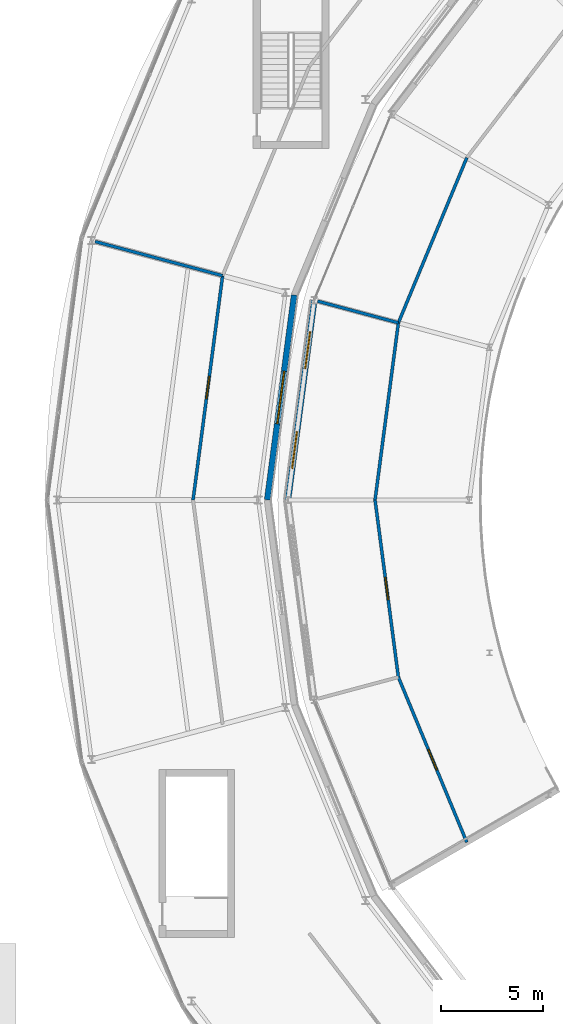
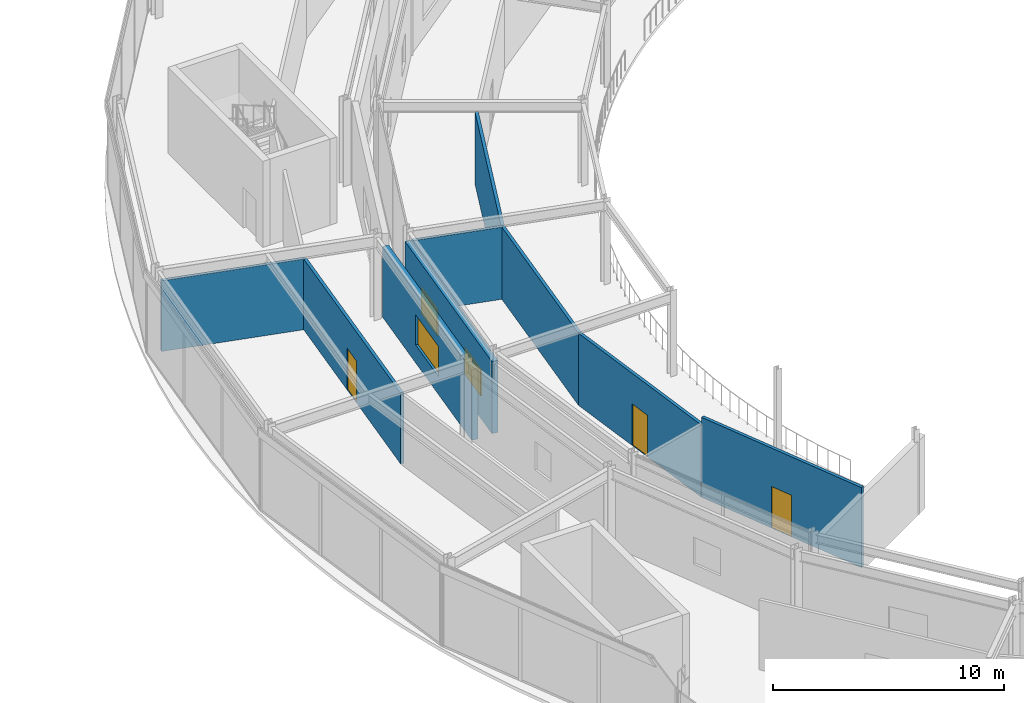
# One storey, part 118 of 157: 9 walls, 3 doors, 3 windows, 6 openings.
"""IFC4 building model written with IfcOpenShell, lengths in metres."""

import ifcopenshell
import ifcopenshell.guid

model = None  # the IFC model being written
_history = None  # IfcOwnerHistory: only IFC2X3 demands one
_inside = {}  # id of a spatial element -> (the spatial element, [elements in it])
_under = {}  # id of a project, library or spatial element -> (it, [spatial elements below it])
_declared = {}  # id of a project -> (the project, [libraries it declares])
_typed = {}  # id of a type object -> (the type object, [elements of that type])
_made_of = {}  # id of a material, layer set ... -> (it, [elements and type objects made of it])


def new_model(schema):
    """Start an empty IFC model of exactly this schema.

    Asked for "IFC4X3", IfcOpenShell would pick the latest addendum, in which some entities
    have other attributes; the version numbers below select the first issue.
    IFC2X3 requires an IfcOwnerHistory on every rooted entity: one is made here for all.
    """
    global model, _history
    if schema == "IFC4X3":
        model = ifcopenshell.file(schema_version=(4, 3, 0, 0))
    else:
        model = ifcopenshell.file(schema=schema)
    _inside.clear()
    _under.clear()
    _declared.clear()
    _typed.clear()
    _made_of.clear()
    _history = None
    if model.schema == "IFC2X3":
        org = make("IfcOrganization", Name="unknown")
        user = make(
            "IfcPersonAndOrganization",
            ThePerson=make("IfcPerson", FamilyName="unknown"),
            TheOrganization=org,
        )
        app = make(
            "IfcApplication",
            ApplicationDeveloper=org,
            Version="unknown",
            ApplicationFullName="unknown",
            ApplicationIdentifier="unknown",
        )
        _history = make(
            "IfcOwnerHistory",
            OwningUser=user,
            OwningApplication=app,
            ChangeAction="ADDED",
            CreationDate=0,
        )
    return model


def make(cls, **values):
    """One entity of the class cls with the attributes given. An attribute that is None is left unset."""
    return model.create_entity(
        cls, **{name: value for name, value in values.items() if value is not None}
    )


def rooted(cls, **values):
    """An entity with a GlobalId (a new one), such as an element, a storey or a relation."""
    return make(cls, GlobalId=ifcopenshell.guid.new(), OwnerHistory=_history, **values)


def si_unit(unit_type, name, prefix=None):
    """IfcSIUnit, for example si_unit("LENGTHUNIT", "METRE", prefix="MILLI")."""
    return make("IfcSIUnit", UnitType=unit_type, Prefix=prefix, Name=name)


def assignment(units):
    """IfcUnitAssignment: the units of a project."""
    return None if units is None else make("IfcUnitAssignment", Units=units)


def point(xyz):
    """IfcCartesianPoint."""
    return None if xyz is None else make("IfcCartesianPoint", Coordinates=xyz)


def direction(xyz):
    """IfcDirection."""
    return None if xyz is None else make("IfcDirection", DirectionRatios=xyz)


def frame(location, z_axis=None, x_axis=None):
    """IfcAxis2Placement3D, a coordinate frame: its origin and axes. An axis left out is left unset."""
    return make(
        "IfcAxis2Placement3D",
        Location=point(location),
        Axis=direction(z_axis),
        RefDirection=direction(x_axis),
    )


def frame_2d(location, x_axis=None):
    """IfcAxis2Placement2D, a coordinate frame in the plane: its origin and x axis."""
    return make(
        "IfcAxis2Placement2D", Location=point(location), RefDirection=direction(x_axis)
    )


def origin():
    """The frame at (0, 0, 0) with its axes left unset."""
    return frame((0.0, 0.0, 0.0))


def place(relative_to, where):
    """IfcLocalPlacement: puts the frame where relative to a parent placement (None: the world)."""
    return make(
        "IfcLocalPlacement", PlacementRelTo=relative_to, RelativePlacement=where
    )


def context(
    kind, dimensions, precision=None, world=None, true_north=None, identifier=None
):
    """IfcGeometricRepresentationContext, for example the 3D "Model" context."""
    return make(
        "IfcGeometricRepresentationContext",
        ContextIdentifier=identifier,
        ContextType=kind,
        CoordinateSpaceDimension=dimensions,
        Precision=precision,
        WorldCoordinateSystem=world,
        TrueNorth=true_north,
    )


def subcontext(parent, identifier, kind, view, scale=None):
    """IfcGeometricRepresentationSubContext, for example "Body" below "Model"."""
    return make(
        "IfcGeometricRepresentationSubContext",
        ContextIdentifier=identifier,
        ContextType=kind,
        ParentContext=parent,
        TargetScale=scale,
        TargetView=view,
    )


def project(units=None, contexts=None):
    """IfcProject with its units and contexts."""
    return rooted(
        "IfcProject",
        Name="project",
        RepresentationContexts=contexts,
        UnitsInContext=assignment(units),
    )


def spatial(cls, under=None, at=None, **own):
    """A site, building, storey or space (cls), placed at a placement, below another one or the project."""
    s = rooted(cls, ObjectPlacement=at, **own)
    if under is not None:
        _under.setdefault(under.id(), (under, []))[1].append(s)
    return s


def profile(cls, at=None, kind="AREA", **sizes):
    """A parametric profile (cls). Its sizes go by their IFC names, for example OverallWidth=200.0."""
    return make(cls, ProfileType=kind, Position=at, **sizes)


def rectangle(**sizes):
    """IfcRectangleProfileDef."""
    return profile("IfcRectangleProfileDef", **sizes)


def extrude(swept, where, along, depth):
    """IfcExtrudedAreaSolid: the profile swept, set in the frame where, extruded along a direction by depth."""
    return make(
        "IfcExtrudedAreaSolid",
        SweptArea=swept,
        Position=where,
        ExtrudedDirection=direction(along),
        Depth=depth,
    )


def shape(context_of_items, identifier, shape_type, items):
    """IfcShapeRepresentation: the items that make up one representation, for example the "Body"."""
    return make(
        "IfcShapeRepresentation",
        ContextOfItems=context_of_items,
        RepresentationIdentifier=identifier,
        RepresentationType=shape_type,
        Items=items,
    )


def material(Name=None, Category=None):
    """IfcMaterial."""
    return make("IfcMaterial", Name=Name, Category=Category)


def layer(
    of_material, thickness, ventilated=None, Name=None, Category=None, Priority=None
):
    """IfcMaterialLayer: one layer of a wall or slab, of a material (None: an air gap)."""
    return make(
        "IfcMaterialLayer",
        Material=of_material,
        LayerThickness=thickness,
        IsVentilated=ventilated,
        Name=Name,
        Category=Category,
        Priority=Priority,
    )


def layer_set(layers, Name=None):
    """IfcMaterialLayerSet."""
    return make("IfcMaterialLayerSet", MaterialLayers=layers, LayerSetName=Name)


def made_of(thing, what):
    """Note that an element or type object is made of a material, layer set ...; save() writes the relation."""
    if what is not None:
        _made_of.setdefault(what.id(), (what, []))[1].append(thing)
    return thing


def type_object(cls, material=None, **own):
    """A type object (cls), such as IfcWallType, which elements share."""
    return made_of(rooted(cls, **own), material)


def element(
    cls,
    number,
    at=None,
    inside=None,
    cuts=None,
    type_object=None,
    material=None,
    context=None,
    identifier="Body",
    shape_type=None,
    held_by="IfcProductDefinitionShape",
    body=None,
    shapes=None,
    **own,
):
    """One element of the class cls, such as IfcWall. Its Tag is "e" and its number.

    at: its placement. inside: the storey or other place that contains it. cuts: it is an
    opening in that element (IfcRelVoidsElement). A single representation is given by context,
    identifier, shape_type and body (its items); several are given by shapes. held_by: the class
    of the entity that holds the representations. save() writes the other relations.
    """
    e = rooted(cls, Tag="e%d" % number, ObjectPlacement=at, **own)
    if body is not None:
        shapes = [shape(context, identifier, shape_type, body)]
    if shapes is not None:
        e.Representation = make(held_by, Representations=shapes)
    if inside is not None:
        _inside.setdefault(inside.id(), (inside, []))[1].append(e)
    if cuts is not None:
        rooted(
            "IfcRelVoidsElement", RelatingBuildingElement=cuts, RelatedOpeningElement=e
        )
    if type_object is not None:
        _typed.setdefault(type_object.id(), (type_object, []))[1].append(e)
    return made_of(e, material)


def fill(opening, filler):
    """IfcRelFillsElement: the door or window that sits in an opening."""
    return rooted(
        "IfcRelFillsElement",
        RelatingOpeningElement=opening,
        RelatedBuildingElement=filler,
    )


def aggregate(whole, parts):
    """IfcRelAggregates: a whole, such as a stair, and the parts it consists of."""
    return rooted("IfcRelAggregates", RelatingObject=whole, RelatedObjects=parts)


def save(model, path):
    """Write the relations noted so far, then the file.

    IfcRelAggregates (storeys below a building ...), IfcRelContainedInSpatialStructure (elements
    in a storey), IfcRelDefinesByType, IfcRelAssociatesMaterial and IfcRelDeclares: one each for
    every whole, place, type object, material and project.
    """
    for whole, parts in _under.values():
        aggregate(whole, parts)
    for where, things in _inside.values():
        rooted(
            "IfcRelContainedInSpatialStructure",
            RelatedElements=things,
            RelatingStructure=where,
        )
    for kind, things in _typed.values():
        rooted("IfcRelDefinesByType", RelatedObjects=things, RelatingType=kind)
    for what, things in _made_of.values():
        rooted("IfcRelAssociatesMaterial", RelatedObjects=things, RelatingMaterial=what)
    for by, libraries in _declared.values():
        rooted("IfcRelDeclares", RelatingContext=by, RelatedDefinitions=libraries)
    model.write(path)


model = new_model("IFC4")

# Units and contexts
model_context = context("Model", 3, precision=1e-05, world=origin(), true_north=direction((0.0, 1.0)))
body_context = subcontext(model_context, "Body", "Model", "MODEL_VIEW")
ifc_project = project(units=[si_unit("LENGTHUNIT", "METRE"), si_unit("AREAUNIT", "SQUARE_METRE"), si_unit("VOLUMEUNIT", "CUBIC_METRE"), si_unit("PLANEANGLEUNIT", "RADIAN"), si_unit("MASSUNIT", "GRAM", prefix="KILO")], contexts=[model_context])

# Site, building, storey
site_placement = place(None, origin())
site = spatial("IfcSite", under=ifc_project, at=site_placement, CompositionType="ELEMENT")
building_placement = place(site_placement, origin())
building = spatial("IfcBuilding", under=site, at=building_placement, Name="Almandine Court Research Institute", CompositionType="ELEMENT")
storey_placement = place(building_placement, frame((0.0, 0.0, 5.25)))
storey = spatial("IfcBuildingStorey", under=building, at=storey_placement, Name="L01", CompositionType="ELEMENT", Elevation=5.25)

# Wall, opening, window
ifc_material_1 = material(Name="Insulated Ochre Terracotta Rainscreen Wall", Category="masonry")
ifc_layer_1 = layer(ifc_material_1, 0.2900390625)
ifc_layer_set_1 = layer_set([ifc_layer_1], Name="Insulated Ochre Terracotta Rainscreen Wall")
wall_type_1 = type_object("IfcWallType", Name="Wall-EXT-TERR-290", PredefinedType="SOLIDWALL", material=ifc_layer_set_1)
wall_1_placement = place(storey_placement, frame((49.656005859375, 66.0, 0.0), z_axis=(0.0, 0.0, 1.0), x_axis=(-0.130450126879, -0.991454872597, 0.0)))
wall_1 = element("IfcWall", 1, at=wall_1_placement, inside=storey, type_object=wall_type_1, Name="L01 Drum Inner Gallery Wall 11", PredefinedType="SOLIDWALL", context=body_context, shape_type="SweptSolid", body=[
    extrude(rectangle(XDim=10.080078125, YDim=0.2900390625, at=frame_2d((5.0400390625, 0.0))), origin(), (0.0, 0.0, 1.0), 3.73193359375),
])
opening_1_placement = place(wall_1_placement, frame((3.7451171875, 0.0, 0.949951171875)))
opening_1 = element("IfcOpeningElement", 2, at=opening_1_placement, cuts=wall_1, Name="Opening WN-99", PredefinedType="OPENING", context=body_context, shape_type="SweptSolid", body=[
    extrude(rectangle(XDim=2.590087890625, YDim=1.590087890625, at=frame_2d((1.294921875, 0.794921875))), frame((0.0, 0.155029296875, 0.0), z_axis=(0.0, -1.0, 0.0), x_axis=(1.0, 0.0, 0.0)), (0.0, 0.0, 1.0), 0.31005859375),
])
ifc_material_2 = material(Name="Thermally Broken Low-E Double-Glazed Window", Category="glass")
window_type_1 = type_object("IfcWindowType", Name="Win-WN-99-2590x1590", PartitioningType="SINGLE_PANEL", PredefinedType="WINDOW", material=ifc_material_2)
window_1_placement = place(opening_1_placement, origin())
window_1 = element("IfcWindow", 3, at=window_1_placement, inside=storey, type_object=window_type_1, Name="L01 Modular Recessed Low-E Window 253", OverallHeight=1.590087890625, OverallWidth=2.590087890625, PartitioningType="SINGLE_PANEL", PredefinedType="WINDOW", context=body_context, shape_type="SweptSolid", body=[
    extrude(rectangle(XDim=2.590087890625, YDim=1.590087890625, at=frame_2d((1.294921875, 0.794921875))), frame((0.0, 0.030029296875, 0.0), z_axis=(0.0, -1.0, 0.0), x_axis=(1.0, 0.0, 0.0)), (0.0, 0.0, 1.0), 0.06005859375),
])
fill(opening_1, window_1)

# Wall, openings, windows
wall_2_placement = place(storey_placement, frame((49.35107421875, 56.00390625, 0.0), z_axis=(0.0, 0.0, 1.0), x_axis=(0.130435863969, 0.991456749128, 0.0)))
wall_2 = element("IfcWall", 4, at=wall_2_placement, inside=storey, type_object=wall_type_1, Name="L01 Interaction Atrium Perimeter Wall 11", PredefinedType="SOLIDWALL", context=body_context, shape_type="SweptSolid", body=[
    extrude(rectangle(XDim=9.821044921875, YDim=0.2900390625, at=frame_2d((4.91064453125, 0.0))), origin(), (0.0, 0.0, 1.0), 3.81005859375),
])
opening_2_placement = place(wall_2_placement, frame((1.544921875, 0.0, 0.949951171875)))
opening_2 = element("IfcOpeningElement", 5, at=opening_2_placement, cuts=wall_2, Name="Opening WN-09", PredefinedType="OPENING", context=body_context, shape_type="SweptSolid", body=[
    extrude(rectangle(XDim=1.820068359375, YDim=1.39990234375, at=frame_2d((0.91015625, 0.699951171875))), frame((0.0, 0.155029296875, 0.0), z_axis=(0.0, -1.0, 0.0), x_axis=(1.0, 0.0, 0.0)), (0.0, 0.0, 1.0), 0.31005859375),
])
opening_3_placement = place(wall_2_placement, frame((6.4560546875, 0.0, 0.949951171875)))
opening_3 = element("IfcOpeningElement", 6, at=opening_3_placement, cuts=wall_2, Name="Opening WN-09", PredefinedType="OPENING", context=body_context, shape_type="SweptSolid", body=[
    extrude(rectangle(XDim=1.820068359375, YDim=1.39990234375, at=frame_2d((0.91015625, 0.699951171875))), frame((0.0, 0.155029296875, 0.0), z_axis=(0.0, -1.0, 0.0), x_axis=(1.0, 0.0, 0.0)), (0.0, 0.0, 1.0), 0.31005859375),
])
window_type_2 = type_object("IfcWindowType", Name="Win-WN-09-1820x1400", PartitioningType="SINGLE_PANEL", PredefinedType="WINDOW", material=ifc_material_2)
window_2_placement = place(opening_2_placement, origin())
window_2 = element("IfcWindow", 7, at=window_2_placement, inside=storey, type_object=window_type_2, Name="L01 Modular Recessed Low-E Window 352", OverallHeight=1.39990234375, OverallWidth=1.820068359375, PartitioningType="SINGLE_PANEL", PredefinedType="WINDOW", context=body_context, shape_type="SweptSolid", body=[
    extrude(rectangle(XDim=1.820068359375, YDim=1.39990234375, at=frame_2d((0.91015625, 0.699951171875))), frame((0.0, 0.030029296875, 0.0), z_axis=(0.0, -1.0, 0.0), x_axis=(1.0, 0.0, 0.0)), (0.0, 0.0, 1.0), 0.06005859375),
])
fill(opening_2, window_2)
window_3_placement = place(opening_3_placement, origin())
window_3 = element("IfcWindow", 8, at=window_3_placement, inside=storey, type_object=window_type_2, Name="L01 Modular Recessed Low-E Window 353", OverallHeight=1.39990234375, OverallWidth=1.820068359375, PartitioningType="SINGLE_PANEL", PredefinedType="WINDOW", context=body_context, shape_type="SweptSolid", body=[
    extrude(rectangle(XDim=1.820068359375, YDim=1.39990234375, at=frame_2d((0.91015625, 0.699951171875))), frame((0.0, 0.030029296875, 0.0), z_axis=(0.0, -1.0, 0.0), x_axis=(1.0, 0.0, 0.0)), (0.0, 0.0, 1.0), 0.06005859375),
])
fill(opening_3, window_3)

# Wall, opening, door
ifc_material_3 = material(Name="Acoustic Steel-Stud Gypsum Partition Wall", Category="steel")
ifc_layer_2 = layer(ifc_material_3, 0.14990234375)
ifc_layer_set_2 = layer_set([ifc_layer_2], Name="Acoustic Steel-Stud Gypsum Partition Wall")
wall_type_2 = type_object("IfcWallType", Name="Wall-PART-150", PredefinedType="PARTITIONING", material=ifc_layer_set_2)
wall_3_placement = place(storey_placement, frame((46.160888671875, 66.943115234375, 0.0), z_axis=(0.0, 0.0, 1.0), x_axis=(-0.130546632054, -0.991442170204, 0.0)))
wall_3 = element("IfcWall", 9, at=wall_3_placement, inside=storey, type_object=wall_type_2, Name="L01 Interior Partition W-V5-L01-CHD-11", PredefinedType="PARTITIONING", context=body_context, shape_type="SweptSolid", body=[
    extrude(rectangle(XDim=11.03759765625, YDim=0.14990234375, at=frame_2d((5.518798828125, 0.0))), origin(), (0.0, 0.0, 1.0), 3.737060546875),
])
opening_4_placement = place(wall_3_placement, frame((4.949951171875, 0.0, 0.0)))
opening_4 = element("IfcOpeningElement", 10, at=opening_4_placement, cuts=wall_3, Name="Opening D-03", PredefinedType="OPENING", context=body_context, shape_type="SweptSolid", body=[
    extrude(rectangle(XDim=1.10009765625, YDim=2.199951171875, at=frame_2d((0.550048828125, 1.10009765625))), frame((0.0, 0.0849609375, 0.0), z_axis=(0.0, -1.0, 0.0), x_axis=(1.0, 0.0, 0.0)), (0.0, 0.0, 1.0), 0.169921875),
])
ifc_material_4 = material(Name="Acoustic Vision-Panel Seminar Door")
door_type = type_object("IfcDoorType", Name="Door-INT-1100", OperationType="NOTDEFINED", PredefinedType="DOOR", material=ifc_material_4)
door_1_placement = place(opening_4_placement, origin())
door_1 = element("IfcDoor", 11, at=door_1_placement, inside=storey, type_object=door_type, Name="L01 Drum Calibration Suite Door", OperationType="SINGLE_SWING_LEFT", OverallHeight=2.199951171875, OverallWidth=1.10009765625, PredefinedType="DOOR", context=body_context, shape_type="SweptSolid", body=[
    extrude(rectangle(XDim=1.10009765625, YDim=2.199951171875, at=frame_2d((0.550048828125, 1.10009765625))), frame((0.0, 0.02490234375, 0.0), z_axis=(0.0, -1.0, 0.0), x_axis=(1.0, 0.0, 0.0)), (0.0, 0.0, 1.0), 0.050048828125),
])
fill(opening_4, door_1)

# Walls
wall_4_placement = place(storey_placement, frame((46.160888671875, 66.943115234375, 0.0), z_axis=(0.0, 0.0, 1.0), x_axis=(-0.965922162166, 0.258832719409, 0.0)))
element("IfcWall", 12, at=wall_4_placement, inside=storey, type_object=wall_type_2, Name="L01 Interior Partition W-V5-L01-RAD-11", PredefinedType="PARTITIONING", context=body_context, shape_type="SweptSolid", body=[
    extrude(rectangle(XDim=6.4404296875, YDim=0.14990234375, at=frame_2d((3.22021484375, 0.0))), origin(), (0.0, 0.0, 1.0), 3.737060546875),
])
wall_5_placement = place(storey_placement, frame((58.074951171875, 72.699951171875, 0.0), z_axis=(0.0, 0.0, 1.0), x_axis=(-0.382727695016, -0.923861197079, 0.0)))
element("IfcWall", 13, at=wall_5_placement, inside=storey, type_object=wall_type_2, Name="L01 Interior Partition W-V2-L01-CHD-10", PredefinedType="PARTITIONING", context=body_context, shape_type="SweptSolid", body=[
    extrude(rectangle(XDim=8.71875, YDim=0.14990234375, at=frame_2d((4.359375, 0.0))), origin(), (0.0, 0.0, 1.0), 3.81494140625),
])
wall_6_placement = place(storey_placement, frame((54.738037109375, 64.64501953125, 0.0), z_axis=(0.0, 0.0, 1.0), x_axis=(-0.130503763364, -0.991447813931, 0.0)))
element("IfcWall", 14, at=wall_6_placement, inside=storey, type_object=wall_type_2, Name="L01 Interior Partition W-V2-L01-CHD-11", PredefinedType="PARTITIONING", context=body_context, shape_type="SweptSolid", body=[
    extrude(rectangle(XDim=8.719482421875, YDim=0.14990234375, at=frame_2d((4.35986328125, 0.0))), origin(), (0.0, 0.0, 1.0), 3.81494140625),
])

# Wall, opening, door
wall_7_placement = place(storey_placement, frame((53.60009765625, 56.0, 0.0), z_axis=(0.0, 0.0, 1.0), x_axis=(0.130503763364, -0.991447813931, 0.0)))
wall_7 = element("IfcWall", 15, at=wall_7_placement, inside=storey, type_object=wall_type_2, Name="L01 Interior Partition W-V2-L01-CHD-12", PredefinedType="PARTITIONING", context=body_context, shape_type="SweptSolid", body=[
    extrude(rectangle(XDim=8.719482421875, YDim=0.14990234375, at=frame_2d((4.35986328125, 0.0))), origin(), (0.0, 0.0, 1.0), 3.81494140625),
])
opening_5_placement = place(wall_7_placement, frame((3.81005859375, 0.0, 0.0)))
opening_5 = element("IfcOpeningElement", 16, at=opening_5_placement, cuts=wall_7, Name="Opening D-03", PredefinedType="OPENING", context=body_context, shape_type="SweptSolid", body=[
    extrude(rectangle(XDim=1.10009765625, YDim=2.199951171875, at=frame_2d((0.550048828125, 1.10009765625))), frame((0.0, 0.0849609375, 0.0), z_axis=(0.0, -1.0, 0.0), x_axis=(1.0, 0.0, 0.0)), (0.0, 0.0, 1.0), 0.169921875),
])
door_2_placement = place(opening_5_placement, origin())
door_2 = element("IfcDoor", 17, at=door_2_placement, inside=storey, type_object=door_type, Name="L01 Atrium Poster Exhibition Gallery Door", OperationType="SINGLE_SWING_LEFT", OverallHeight=2.199951171875, OverallWidth=1.10009765625, PredefinedType="DOOR", context=body_context, shape_type="SweptSolid", body=[
    extrude(rectangle(XDim=1.10009765625, YDim=2.199951171875, at=frame_2d((0.550048828125, 1.10009765625))), frame((0.0, 0.02490234375, 0.0), z_axis=(0.0, -1.0, 0.0), x_axis=(1.0, 0.0, 0.0)), (0.0, 0.0, 1.0), 0.050048828125),
])
fill(opening_5, door_2)

wall_8_placement = place(storey_placement, frame((54.738037109375, 47.35498046875, 0.0), z_axis=(0.0, 0.0, 1.0), x_axis=(0.382727695016, -0.923861197079, 0.0)))
wall_8 = element("IfcWall", 18, at=wall_8_placement, inside=storey, type_object=wall_type_2, Name="L01 Interior Partition W-V2-L01-CHD-13", PredefinedType="PARTITIONING", context=body_context, shape_type="SweptSolid", body=[
    extrude(rectangle(XDim=8.71875, YDim=0.14990234375, at=frame_2d((4.359375, 0.0))), origin(), (0.0, 0.0, 1.0), 4.22998046875),
])
opening_6_placement = place(wall_8_placement, frame((3.81005859375, 0.0, 0.0)))
opening_6 = element("IfcOpeningElement", 19, at=opening_6_placement, cuts=wall_8, Name="Opening D-03", PredefinedType="OPENING", context=body_context, shape_type="SweptSolid", body=[
    extrude(rectangle(XDim=1.10009765625, YDim=2.199951171875, at=frame_2d((0.550048828125, 1.10009765625))), frame((0.0, 0.0849609375, 0.0), z_axis=(0.0, -1.0, 0.0), x_axis=(1.0, 0.0, 0.0)), (0.0, 0.0, 1.0), 0.169921875),
])
door_3_placement = place(opening_6_placement, origin())
door_3 = element("IfcDoor", 20, at=door_3_placement, inside=storey, type_object=door_type, Name="L01 Atrium Collaboration Gallery Door", OperationType="SINGLE_SWING_RIGHT", OverallHeight=2.199951171875, OverallWidth=1.10009765625, PredefinedType="DOOR", context=body_context, shape_type="SweptSolid", body=[
    extrude(rectangle(XDim=1.10009765625, YDim=2.199951171875, at=frame_2d((0.550048828125, 1.10009765625))), frame((0.0, 0.02490234375, 0.0), z_axis=(0.0, -1.0, 0.0), x_axis=(1.0, 0.0, 0.0)), (0.0, 0.0, 1.0), 0.050048828125),
])
fill(opening_6, door_3)

# Wall
wall_9_placement = place(storey_placement, frame((54.738037109375, 64.64501953125, 0.0), z_axis=(0.0, 0.0, 1.0), x_axis=(-0.965929354699, 0.258805876538, 0.0)))
element("IfcWall", 21, at=wall_9_placement, inside=storey, type_object=wall_type_2, Name="L01 Interior Partition W-V2-L01-RAD-11", PredefinedType="PARTITIONING", context=body_context, shape_type="SweptSolid", body=[
    extrude(rectangle(XDim=4.079833984375, YDim=0.14990234375, at=frame_2d((2.0400390625, 0.0))), origin(), (0.0, 0.0, 1.0), 3.81494140625),
])

save(model, "model.ifc")
